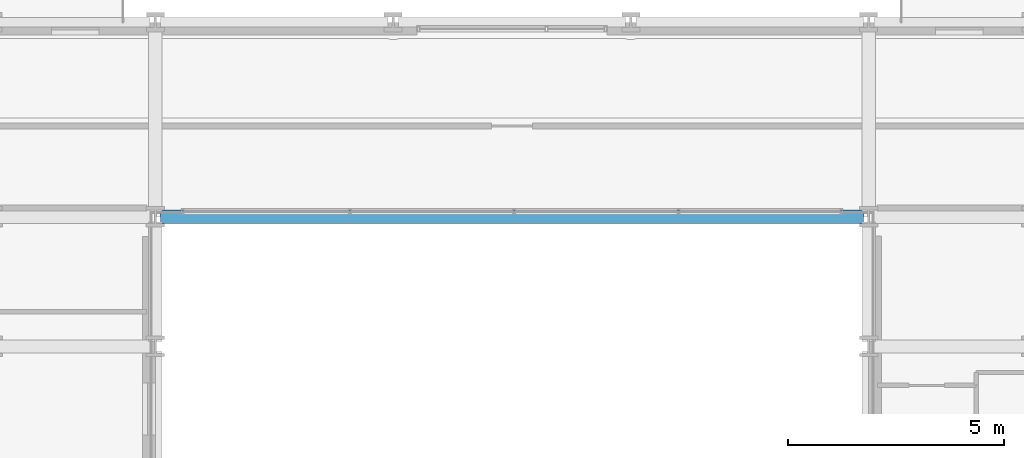
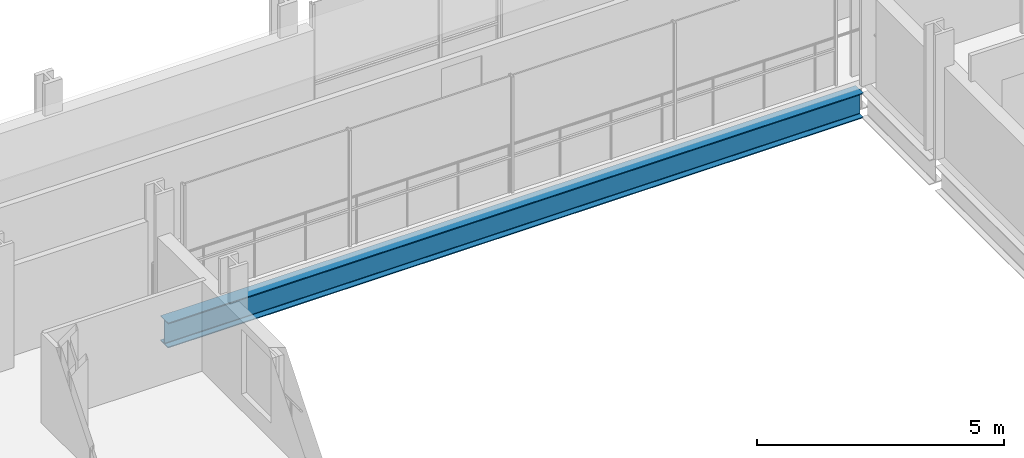
# One storey, part 10 of 38: 1 beam.
"""IFC4 building model written with IfcOpenShell, lengths in metres."""

from ifc_helpers import new_model, si_unit, direction, frame, origin, origin_2d, place, context, subcontext, project, spatial, i_section, extrude, material, material_profile, profile_set, type_object, element, save


model = new_model("IFC4")

# Units and contexts
model_context = context("Model", 3, precision=1e-05, world=origin(), true_north=direction((0.0, 1.0)))
body_context = subcontext(model_context, "Body", "Model", "MODEL_VIEW")
ifc_project = project(units=[si_unit("LENGTHUNIT", "METRE"), si_unit("AREAUNIT", "SQUARE_METRE"), si_unit("VOLUMEUNIT", "CUBIC_METRE"), si_unit("PLANEANGLEUNIT", "RADIAN"), si_unit("MASSUNIT", "GRAM", prefix="KILO")], contexts=[model_context])

# Site, building, storey
site_placement = place(None, origin())
site = spatial("IfcSite", under=ifc_project, at=site_placement, CompositionType="ELEMENT")
building_placement = place(site_placement, origin())
building = spatial("IfcBuilding", under=site, at=building_placement, Name="Brevholm Reach", CompositionType="ELEMENT")
storey_placement = place(building_placement, frame((0.0, 0.0, 52.800048828125)))
storey = spatial("IfcBuildingStorey", under=building, at=storey_placement, Name="L14", CompositionType="ELEMENT", Elevation=52.800048828125)

# Beam
ifc_material = material(Name="Structural Steel S355J2", Category="steel")
ifc_material_profile = material_profile(ifc_material, i_section(OverallWidth=0.30712890625, OverallDepth=0.6201171875, WebThickness=0.01416015625, FlangeThickness=0.023681640625, FilletRadius=0.0166015625, at=origin_2d()), Name="UKB 610x305x179")
ifc_profile_set = profile_set([ifc_material_profile], Name="Structural Steel S355J2")
beam_type = type_object("IfcBeamType", Name="BM-UKB610H", PredefinedType="USERDEFINED", material=ifc_profile_set)
beam_placement = place(storey_placement, frame((21.8701171875, 26.5, -0.5400390625), z_axis=(1.0, 0.0, 0.0), x_axis=(0.0, 1.0, 0.0)))
element("IfcBeam", 1, at=beam_placement, inside=storey, type_object=beam_type, Name="L14 G-06 Framing Beam", ObjectType="GIRDER", PredefinedType="USERDEFINED", context=body_context, shape_type="SweptSolid", body=[
    extrude(i_section(OverallWidth=0.30712890625, OverallDepth=0.6201171875, WebThickness=0.01416015625, FlangeThickness=0.023681640625, FilletRadius=0.0166015625, at=origin_2d()), origin(), (0.0, 0.0, 1.0), 16.259765625),
])

save(model, "model.ifc")
